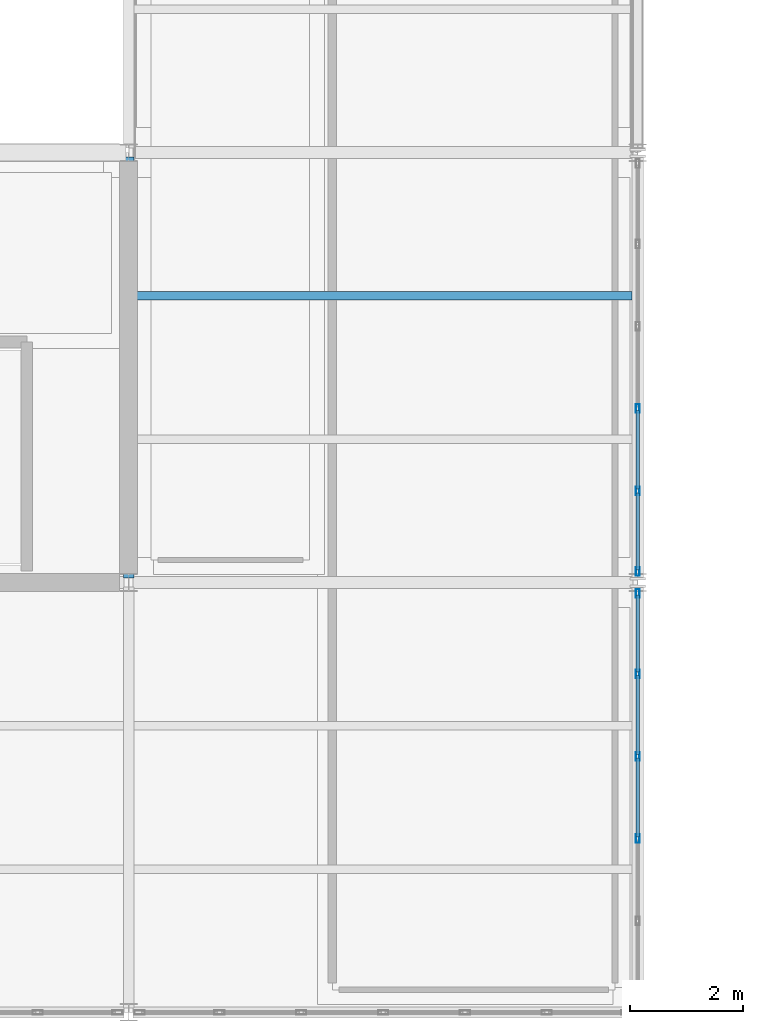
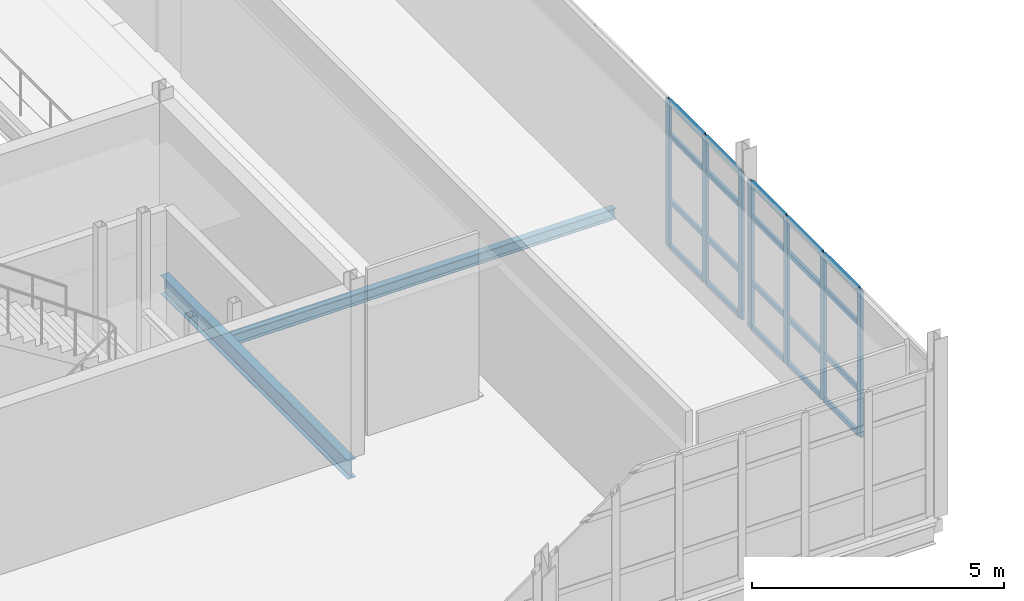
# One storey, part 113 of 166: 27 members, 2 beams, 2 elements without a shape of their own.
"""IFC4 building model written with IfcOpenShell, lengths in metres."""

from ifc_helpers import new_model, si_unit, direction, frame, origin, origin_2d, place, context, subcontext, project, spatial, hollow_rectangle, i_section, extrude, material, material_profile, profile_set, type_object, element, aggregate, save


model = new_model("IFC4")

# Units and contexts
model_context = context("Model", 3, precision=1e-05, world=origin(), true_north=direction((0.0, 1.0)))
body_context = subcontext(model_context, "Body", "Model", "MODEL_VIEW")
ifc_project = project(units=[si_unit("LENGTHUNIT", "METRE"), si_unit("AREAUNIT", "SQUARE_METRE"), si_unit("VOLUMEUNIT", "CUBIC_METRE"), si_unit("PLANEANGLEUNIT", "RADIAN"), si_unit("MASSUNIT", "GRAM", prefix="KILO")], contexts=[model_context])

# Site, building, storey
site_placement = place(None, origin())
site = spatial("IfcSite", under=ifc_project, at=site_placement, CompositionType="ELEMENT")
building_placement = place(site_placement, origin())
building = spatial("IfcBuilding", under=site, at=building_placement, Name="Caisbarro Railhouse Central Library", CompositionType="ELEMENT")
storey_placement = place(building_placement, frame((0.0, 0.0, 9.360107421875)))
storey = spatial("IfcBuildingStorey", under=building, at=storey_placement, Name="L02", CompositionType="ELEMENT", Elevation=9.360107421875)

# Beams
ifc_material_1 = material(Name="Steel ASTM A572 Grade 50", Category="steel")
ifc_material_profile_1 = material_profile(ifc_material_1, i_section(OverallWidth=0.18994140625, OverallDepth=0.45703125, WebThickness=0.009033203125, FlangeThickness=0.014404296875, FilletRadius=0.01806640625, at=origin_2d()), Name="W460X74.0")
ifc_profile_set_1 = profile_set([ifc_material_profile_1], Name="Steel ASTM A572 Grade 50")
beam_type_1 = type_object("IfcBeamType", Name="BM-G08", PredefinedType="BEAM", material=ifc_profile_set_1)
beam_1_placement = place(storey_placement, frame((144.0, 68.47998046875, -0.448486328125), z_axis=(0.0, 1.0, 0.0), x_axis=(-1.0, 0.0, 0.0)))
element("IfcBeam", 1, at=beam_1_placement, inside=storey, type_object=beam_type_1, Name="G08 beam L02 #1526", PredefinedType="BEAM", context=body_context, shape_type="SweptSolid", body=[
    extrude(i_section(OverallWidth=0.18994140625, OverallDepth=0.45703125, WebThickness=0.009033203125, FlangeThickness=0.014404296875, FilletRadius=0.01806640625, at=origin_2d()), origin(), (0.0, 0.0, 1.0), 7.43994140625),
])
ifc_material_profile_2 = material_profile(ifc_material_1, i_section(OverallWidth=0.14794921875, OverallDepth=0.26611328125, WebThickness=0.007568359375, FlangeThickness=0.012939453125, FilletRadius=0.010009765625, at=origin_2d()), Name="W250X44.8")
ifc_profile_set_2 = profile_set([ifc_material_profile_2], Name="Steel ASTM A572 Grade 50")
beam_type_2 = type_object("IfcBeamType", Name="BM-J04", PredefinedType="JOIST", material=ifc_profile_set_2)
beam_2_placement = place(storey_placement, frame((144.094970703125, 73.466796875, -0.35302734375), z_axis=(1.0, 0.0, 0.0), x_axis=(0.0, 1.0, 0.0)))
element("IfcBeam", 2, at=beam_2_placement, inside=storey, type_object=beam_type_2, Name="J04 beam L02 #1572", PredefinedType="JOIST", context=body_context, shape_type="SweptSolid", body=[
    extrude(i_section(OverallWidth=0.14794921875, OverallDepth=0.26611328125, WebThickness=0.007568359375, FlangeThickness=0.012939453125, FilletRadius=0.010009765625, at=origin_2d()), origin(), (0.0, 0.0, 1.0), 8.804931640625),
])

# Curtain wall, members
ifc_material_2 = material(Name="Anodised architectural aluminium", Category="aluminium")
curtain_wall_type = type_object("IfcCurtainWallType", Name="CW-CW03", PredefinedType="NOTDEFINED", material=ifc_material_2)
curtain_wall_1_placement = place(storey_placement, origin())
curtain_wall_1 = element("IfcCurtainWall", 3, at=curtain_wall_1_placement, inside=storey, type_object=curtain_wall_type, Name="CW03 curtain wall L02 #137", PredefinedType="NOTDEFINED")
ifc_material_profile_3 = material_profile(ifc_material_2, hollow_rectangle(XDim=0.06494140625, YDim=0.14990234375, WallThickness=0.00390625, at=origin_2d()), Name="ALU-MUL-65X150")
ifc_profile_set_3 = profile_set([ifc_material_profile_3], Name="Anodised architectural aluminium")
member_type_1 = type_object("IfcMemberType", Name="CWM-M02", PredefinedType="MULLION", material=ifc_profile_set_3)
member_1_placement = place(storey_placement, frame((153.0, 63.8720703125, 0.0), z_axis=(0.0, 0.0, 1.0), x_axis=(-1.0, 0.0, 0.0)))
member_1 = element("IfcMember", 4, at=member_1_placement, type_object=member_type_1, Name="CW03 mullion 3", PredefinedType="MULLION", context=body_context, shape_type="SweptSolid", body=[
    extrude(hollow_rectangle(XDim=0.06494140625, YDim=0.14990234375, WallThickness=0.00390625, at=origin_2d()), origin(), (0.0, 0.0, 1.0), 3.559814453125),
])
member_2_placement = place(storey_placement, frame((153.0, 65.327880859375, 0.0), z_axis=(0.0, 0.0, 1.0), x_axis=(-1.0, 0.0, 0.0)))
member_2 = element("IfcMember", 5, at=member_2_placement, type_object=member_type_1, Name="CW03 mullion 4", PredefinedType="MULLION", context=body_context, shape_type="SweptSolid", body=[
    extrude(hollow_rectangle(XDim=0.06494140625, YDim=0.14990234375, WallThickness=0.00390625, at=origin_2d()), origin(), (0.0, 0.0, 1.0), 3.559814453125),
])
member_3_placement = place(storey_placement, frame((153.0, 66.783935546875, 0.0), z_axis=(0.0, 0.0, 1.0), x_axis=(-1.0, 0.0, 0.0)))
member_3 = element("IfcMember", 6, at=member_3_placement, type_object=member_type_1, Name="CW03 mullion 5", PredefinedType="MULLION", context=body_context, shape_type="SweptSolid", body=[
    extrude(hollow_rectangle(XDim=0.06494140625, YDim=0.14990234375, WallThickness=0.00390625, at=origin_2d()), origin(), (0.0, 0.0, 1.0), 3.559814453125),
])
member_4_placement = place(storey_placement, frame((153.0, 68.20751953125, 0.0), z_axis=(0.0, 0.0, 1.0), x_axis=(-1.0, 0.0, 0.0)))
member_4 = element("IfcMember", 7, at=member_4_placement, type_object=member_type_1, Name="CW03 mullion 6", PredefinedType="MULLION", context=body_context, shape_type="SweptSolid", body=[
    extrude(hollow_rectangle(XDim=0.06494140625, YDim=0.14990234375, WallThickness=0.00390625, at=origin_2d()), origin(), (0.0, 0.0, 1.0), 3.559814453125),
])

curtain_wall_2_placement = place(storey_placement, origin())
curtain_wall_2 = element("IfcCurtainWall", 8, at=curtain_wall_2_placement, inside=storey, type_object=curtain_wall_type, Name="CW03 curtain wall L02 #138", PredefinedType="NOTDEFINED")
member_5_placement = place(storey_placement, frame((153.0, 68.592529296875, 0.0), z_axis=(0.0, 0.0, 1.0), x_axis=(-1.0, 0.0, 0.0)))
member_5 = element("IfcMember", 9, at=member_5_placement, type_object=member_type_1, Name="CW03 mullion 1", PredefinedType="MULLION", context=body_context, shape_type="SweptSolid", body=[
    extrude(hollow_rectangle(XDim=0.06494140625, YDim=0.14990234375, WallThickness=0.00390625, at=origin_2d()), origin(), (0.0, 0.0, 1.0), 3.559814453125),
])
member_6_placement = place(storey_placement, frame((153.0, 70.01611328125, 0.0), z_axis=(0.0, 0.0, 1.0), x_axis=(-1.0, 0.0, 0.0)))
member_6 = element("IfcMember", 10, at=member_6_placement, type_object=member_type_1, Name="CW03 mullion 2", PredefinedType="MULLION", context=body_context, shape_type="SweptSolid", body=[
    extrude(hollow_rectangle(XDim=0.06494140625, YDim=0.14990234375, WallThickness=0.00390625, at=origin_2d()), origin(), (0.0, 0.0, 1.0), 3.559814453125),
])
member_7_placement = place(storey_placement, frame((153.0, 71.471923828125, 0.0), z_axis=(0.0, 0.0, 1.0), x_axis=(-1.0, 0.0, 0.0)))
member_7 = element("IfcMember", 11, at=member_7_placement, type_object=member_type_1, Name="CW03 mullion 3", PredefinedType="MULLION", context=body_context, shape_type="SweptSolid", body=[
    extrude(hollow_rectangle(XDim=0.06494140625, YDim=0.14990234375, WallThickness=0.00390625, at=origin_2d()), origin(), (0.0, 0.0, 1.0), 3.559814453125),
])

# Member
ifc_material_profile_4 = material_profile(ifc_material_2, hollow_rectangle(XDim=0.06494140625, YDim=0.1201171875, WallThickness=0.00341796875, at=origin_2d()), Name="ALU-TRN-65X120")
ifc_profile_set_4 = profile_set([ifc_material_profile_4], Name="Anodised architectural aluminium")
member_type_2 = type_object("IfcMemberType", Name="CWT-T02", PredefinedType="USERDEFINED", material=ifc_profile_set_4)
member_8_placement = place(storey_placement, frame((153.0, 63.904541015625, 0.032470703125), z_axis=(0.0, 1.0, 0.0), x_axis=(-1.0, 0.0, 0.0)))
member_8 = element("IfcMember", 12, at=member_8_placement, type_object=member_type_2, Name="CW03 transom 3.1", ObjectType="TRANSOM", PredefinedType="USERDEFINED", context=body_context, shape_type="SweptSolid", body=[
    extrude(hollow_rectangle(XDim=0.06494140625, YDim=0.1201171875, WallThickness=0.00341796875, at=origin_2d()), origin(), (0.0, 0.0, 1.0), 1.390869140625),
])

member_9_placement = place(storey_placement, frame((153.0, 63.904541015625, 1.119873046875), z_axis=(0.0, 1.0, 0.0), x_axis=(-1.0, 0.0, 0.0)))
member_9 = element("IfcMember", 13, at=member_9_placement, type_object=member_type_2, Name="CW03 transom 3.2", ObjectType="TRANSOM", PredefinedType="USERDEFINED", context=body_context, shape_type="SweptSolid", body=[
    extrude(hollow_rectangle(XDim=0.06494140625, YDim=0.1201171875, WallThickness=0.00341796875, at=origin_2d()), origin(), (0.0, 0.0, 1.0), 1.390869140625),
])

member_10_placement = place(storey_placement, frame((153.0, 63.904541015625, 2.7099609375), z_axis=(0.0, 1.0, 0.0), x_axis=(-1.0, 0.0, 0.0)))
member_10 = element("IfcMember", 14, at=member_10_placement, type_object=member_type_2, Name="CW03 transom 3.3", ObjectType="TRANSOM", PredefinedType="USERDEFINED", context=body_context, shape_type="SweptSolid", body=[
    extrude(hollow_rectangle(XDim=0.06494140625, YDim=0.1201171875, WallThickness=0.00341796875, at=origin_2d()), origin(), (0.0, 0.0, 1.0), 1.390869140625),
])

member_11_placement = place(storey_placement, frame((153.0, 63.904541015625, 3.52734375), z_axis=(0.0, 1.0, 0.0), x_axis=(-1.0, 0.0, 0.0)))
member_11 = element("IfcMember", 15, at=member_11_placement, type_object=member_type_2, Name="CW03 transom 3.4", ObjectType="TRANSOM", PredefinedType="USERDEFINED", context=body_context, shape_type="SweptSolid", body=[
    extrude(hollow_rectangle(XDim=0.06494140625, YDim=0.1201171875, WallThickness=0.00341796875, at=origin_2d()), origin(), (0.0, 0.0, 1.0), 1.390869140625),
])

member_12_placement = place(storey_placement, frame((153.0, 65.360595703125, 0.032470703125), z_axis=(0.0, 1.0, 0.0), x_axis=(-1.0, 0.0, 0.0)))
member_12 = element("IfcMember", 16, at=member_12_placement, type_object=member_type_2, Name="CW03 transom 4.1", ObjectType="TRANSOM", PredefinedType="USERDEFINED", context=body_context, shape_type="SweptSolid", body=[
    extrude(hollow_rectangle(XDim=0.06494140625, YDim=0.1201171875, WallThickness=0.00341796875, at=origin_2d()), origin(), (0.0, 0.0, 1.0), 1.390869140625),
])

member_13_placement = place(storey_placement, frame((153.0, 65.360595703125, 1.119873046875), z_axis=(0.0, 1.0, 0.0), x_axis=(-1.0, 0.0, 0.0)))
member_13 = element("IfcMember", 17, at=member_13_placement, type_object=member_type_2, Name="CW03 transom 4.2", ObjectType="TRANSOM", PredefinedType="USERDEFINED", context=body_context, shape_type="SweptSolid", body=[
    extrude(hollow_rectangle(XDim=0.06494140625, YDim=0.1201171875, WallThickness=0.00341796875, at=origin_2d()), origin(), (0.0, 0.0, 1.0), 1.390869140625),
])

member_14_placement = place(storey_placement, frame((153.0, 65.360595703125, 2.7099609375), z_axis=(0.0, 1.0, 0.0), x_axis=(-1.0, 0.0, 0.0)))
member_14 = element("IfcMember", 18, at=member_14_placement, type_object=member_type_2, Name="CW03 transom 4.3", ObjectType="TRANSOM", PredefinedType="USERDEFINED", context=body_context, shape_type="SweptSolid", body=[
    extrude(hollow_rectangle(XDim=0.06494140625, YDim=0.1201171875, WallThickness=0.00341796875, at=origin_2d()), origin(), (0.0, 0.0, 1.0), 1.390869140625),
])

member_15_placement = place(storey_placement, frame((153.0, 65.360595703125, 3.52734375), z_axis=(0.0, 1.0, 0.0), x_axis=(-1.0, 0.0, 0.0)))
member_15 = element("IfcMember", 19, at=member_15_placement, type_object=member_type_2, Name="CW03 transom 4.4", ObjectType="TRANSOM", PredefinedType="USERDEFINED", context=body_context, shape_type="SweptSolid", body=[
    extrude(hollow_rectangle(XDim=0.06494140625, YDim=0.1201171875, WallThickness=0.00341796875, at=origin_2d()), origin(), (0.0, 0.0, 1.0), 1.390869140625),
])

member_16_placement = place(storey_placement, frame((153.0, 66.81640625, 0.032470703125), z_axis=(0.0, 1.0, 0.0), x_axis=(-1.0, 0.0, 0.0)))
member_16 = element("IfcMember", 20, at=member_16_placement, type_object=member_type_2, Name="CW03 transom 5.1", ObjectType="TRANSOM", PredefinedType="USERDEFINED", context=body_context, shape_type="SweptSolid", body=[
    extrude(hollow_rectangle(XDim=0.06494140625, YDim=0.1201171875, WallThickness=0.00341796875, at=origin_2d()), origin(), (0.0, 0.0, 1.0), 1.358642578125),
])

member_17_placement = place(storey_placement, frame((153.0, 66.81640625, 1.119873046875), z_axis=(0.0, 1.0, 0.0), x_axis=(-1.0, 0.0, 0.0)))
member_17 = element("IfcMember", 21, at=member_17_placement, type_object=member_type_2, Name="CW03 transom 5.2", ObjectType="TRANSOM", PredefinedType="USERDEFINED", context=body_context, shape_type="SweptSolid", body=[
    extrude(hollow_rectangle(XDim=0.06494140625, YDim=0.1201171875, WallThickness=0.00341796875, at=origin_2d()), origin(), (0.0, 0.0, 1.0), 1.358642578125),
])

member_18_placement = place(storey_placement, frame((153.0, 66.81640625, 2.7099609375), z_axis=(0.0, 1.0, 0.0), x_axis=(-1.0, 0.0, 0.0)))
member_18 = element("IfcMember", 22, at=member_18_placement, type_object=member_type_2, Name="CW03 transom 5.3", ObjectType="TRANSOM", PredefinedType="USERDEFINED", context=body_context, shape_type="SweptSolid", body=[
    extrude(hollow_rectangle(XDim=0.06494140625, YDim=0.1201171875, WallThickness=0.00341796875, at=origin_2d()), origin(), (0.0, 0.0, 1.0), 1.358642578125),
])

member_19_placement = place(storey_placement, frame((153.0, 66.81640625, 3.52734375), z_axis=(0.0, 1.0, 0.0), x_axis=(-1.0, 0.0, 0.0)))
member_19 = element("IfcMember", 23, at=member_19_placement, type_object=member_type_2, Name="CW03 transom 5.4", ObjectType="TRANSOM", PredefinedType="USERDEFINED", context=body_context, shape_type="SweptSolid", body=[
    extrude(hollow_rectangle(XDim=0.06494140625, YDim=0.1201171875, WallThickness=0.00341796875, at=origin_2d()), origin(), (0.0, 0.0, 1.0), 1.358642578125),
])

aggregate(curtain_wall_1, [member_1, member_2, member_3, member_4, member_8, member_9, member_10, member_11, member_12, member_13, member_14, member_15, member_16, member_17, member_18, member_19])

member_20_placement = place(storey_placement, frame((153.0, 68.625, 0.032470703125), z_axis=(0.0, 1.0, 0.0), x_axis=(-1.0, 0.0, 0.0)))
member_20 = element("IfcMember", 24, at=member_20_placement, type_object=member_type_2, Name="CW03 transom 1.1", ObjectType="TRANSOM", PredefinedType="USERDEFINED", context=body_context, shape_type="SweptSolid", body=[
    extrude(hollow_rectangle(XDim=0.06494140625, YDim=0.1201171875, WallThickness=0.00341796875, at=origin_2d()), origin(), (0.0, 0.0, 1.0), 1.3583984375),
])

member_21_placement = place(storey_placement, frame((153.0, 68.625, 1.119873046875), z_axis=(0.0, 1.0, 0.0), x_axis=(-1.0, 0.0, 0.0)))
member_21 = element("IfcMember", 25, at=member_21_placement, type_object=member_type_2, Name="CW03 transom 1.2", ObjectType="TRANSOM", PredefinedType="USERDEFINED", context=body_context, shape_type="SweptSolid", body=[
    extrude(hollow_rectangle(XDim=0.06494140625, YDim=0.1201171875, WallThickness=0.00341796875, at=origin_2d()), origin(), (0.0, 0.0, 1.0), 1.3583984375),
])

member_22_placement = place(storey_placement, frame((153.0, 68.625, 2.7099609375), z_axis=(0.0, 1.0, 0.0), x_axis=(-1.0, 0.0, 0.0)))
member_22 = element("IfcMember", 26, at=member_22_placement, type_object=member_type_2, Name="CW03 transom 1.3", ObjectType="TRANSOM", PredefinedType="USERDEFINED", context=body_context, shape_type="SweptSolid", body=[
    extrude(hollow_rectangle(XDim=0.06494140625, YDim=0.1201171875, WallThickness=0.00341796875, at=origin_2d()), origin(), (0.0, 0.0, 1.0), 1.3583984375),
])

member_23_placement = place(storey_placement, frame((153.0, 68.625, 3.52734375), z_axis=(0.0, 1.0, 0.0), x_axis=(-1.0, 0.0, 0.0)))
member_23 = element("IfcMember", 27, at=member_23_placement, type_object=member_type_2, Name="CW03 transom 1.4", ObjectType="TRANSOM", PredefinedType="USERDEFINED", context=body_context, shape_type="SweptSolid", body=[
    extrude(hollow_rectangle(XDim=0.06494140625, YDim=0.1201171875, WallThickness=0.00341796875, at=origin_2d()), origin(), (0.0, 0.0, 1.0), 1.3583984375),
])

member_24_placement = place(storey_placement, frame((153.0, 70.048583984375, 0.032470703125), z_axis=(0.0, 1.0, 0.0), x_axis=(-1.0, 0.0, 0.0)))
member_24 = element("IfcMember", 28, at=member_24_placement, type_object=member_type_2, Name="CW03 transom 2.1", ObjectType="TRANSOM", PredefinedType="USERDEFINED", context=body_context, shape_type="SweptSolid", body=[
    extrude(hollow_rectangle(XDim=0.06494140625, YDim=0.1201171875, WallThickness=0.00341796875, at=origin_2d()), origin(), (0.0, 0.0, 1.0), 1.390869140625),
])

member_25_placement = place(storey_placement, frame((153.0, 70.048583984375, 1.119873046875), z_axis=(0.0, 1.0, 0.0), x_axis=(-1.0, 0.0, 0.0)))
member_25 = element("IfcMember", 29, at=member_25_placement, type_object=member_type_2, Name="CW03 transom 2.2", ObjectType="TRANSOM", PredefinedType="USERDEFINED", context=body_context, shape_type="SweptSolid", body=[
    extrude(hollow_rectangle(XDim=0.06494140625, YDim=0.1201171875, WallThickness=0.00341796875, at=origin_2d()), origin(), (0.0, 0.0, 1.0), 1.390869140625),
])

member_26_placement = place(storey_placement, frame((153.0, 70.048583984375, 2.7099609375), z_axis=(0.0, 1.0, 0.0), x_axis=(-1.0, 0.0, 0.0)))
member_26 = element("IfcMember", 30, at=member_26_placement, type_object=member_type_2, Name="CW03 transom 2.3", ObjectType="TRANSOM", PredefinedType="USERDEFINED", context=body_context, shape_type="SweptSolid", body=[
    extrude(hollow_rectangle(XDim=0.06494140625, YDim=0.1201171875, WallThickness=0.00341796875, at=origin_2d()), origin(), (0.0, 0.0, 1.0), 1.390869140625),
])

member_27_placement = place(storey_placement, frame((153.0, 70.048583984375, 3.52734375), z_axis=(0.0, 1.0, 0.0), x_axis=(-1.0, 0.0, 0.0)))
member_27 = element("IfcMember", 31, at=member_27_placement, type_object=member_type_2, Name="CW03 transom 2.4", ObjectType="TRANSOM", PredefinedType="USERDEFINED", context=body_context, shape_type="SweptSolid", body=[
    extrude(hollow_rectangle(XDim=0.06494140625, YDim=0.1201171875, WallThickness=0.00341796875, at=origin_2d()), origin(), (0.0, 0.0, 1.0), 1.390869140625),
])

aggregate(curtain_wall_2, [member_5, member_6, member_7, member_20, member_21, member_22, member_23, member_24, member_25, member_26, member_27])

save(model, "model.ifc")
